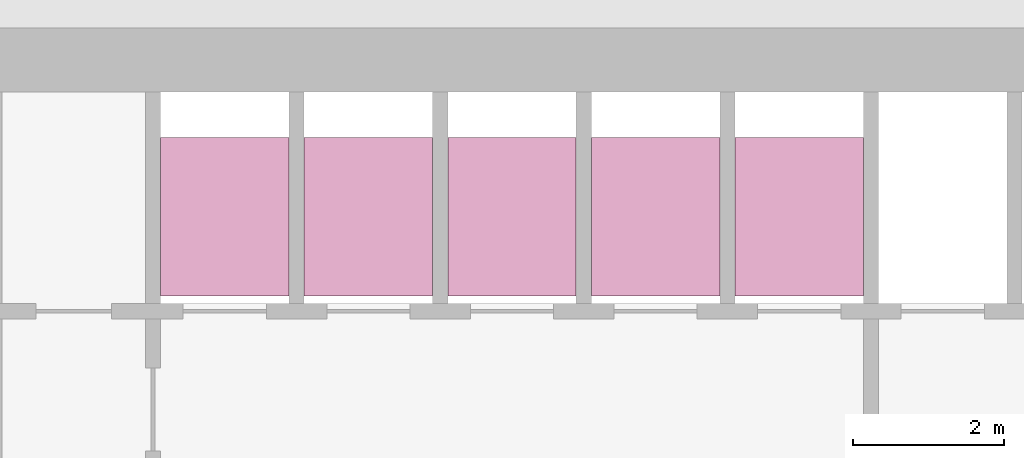
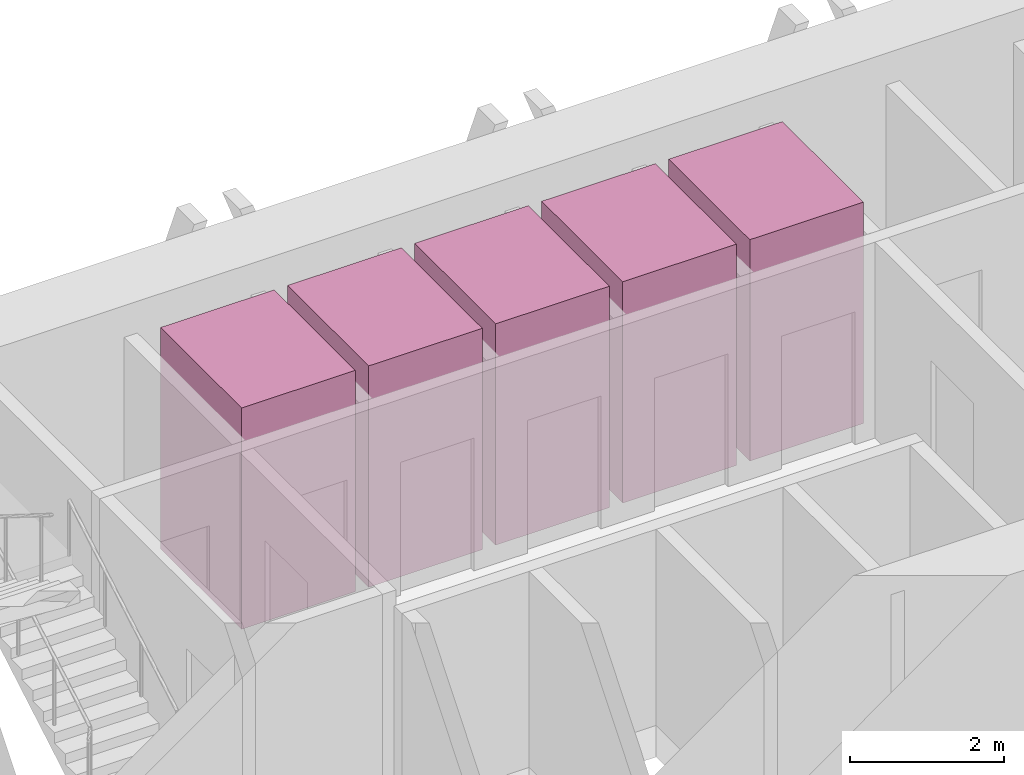
# One storey, part 17 of 17: 5 transport elements.
"""IFC4 building model written with IfcOpenShell, lengths in metres."""

from ifc_helpers import new_model, si_unit, direction, frame, origin, origin_2d, place, context, subcontext, project, spatial, rectangle, extrude, material, type_object, element, save


model = new_model("IFC4")

# Units and contexts
model_context = context("Model", 3, precision=1e-05, world=origin(), true_north=direction((0.0, 1.0)))
body_context = subcontext(model_context, "Body", "Model", "MODEL_VIEW")
ifc_project = project(units=[si_unit("LENGTHUNIT", "METRE"), si_unit("AREAUNIT", "SQUARE_METRE"), si_unit("VOLUMEUNIT", "CUBIC_METRE"), si_unit("PLANEANGLEUNIT", "RADIAN"), si_unit("MASSUNIT", "GRAM", prefix="KILO")], contexts=[model_context])

# Site, building, storey
site_placement = place(None, origin())
site = spatial("IfcSite", under=ifc_project, at=site_placement, CompositionType="ELEMENT")
building_placement = place(site_placement, origin())
building = spatial("IfcBuilding", under=site, at=building_placement, Name="Altiplano Prism Tower", CompositionType="ELEMENT")
storey_placement = place(building_placement, frame((0.0, 0.0, 55.800048828125)))
storey = spatial("IfcBuildingStorey", under=building, at=storey_placement, Name="L13", CompositionType="ELEMENT", Elevation=55.800048828125)

# Transport elements
ifc_material = material(Name="Stainless steel lift car", Category="steel")
transport_element_type = type_object("IfcTransportElementType", Name="Passenger lift car 1600 x 2100", PredefinedType="ELEVATOR", material=ifc_material)
for number, where, z_axis, x_axis, name in (
    (1, (79.050048828125, 101.75, 0.050048828125), (0.0, 0.0, 1.0), (1.0, 0.0, 0.0), "Low Zone Passenger Lift 1"),
    (2, (80.949951171875, 101.75, 0.050048828125), (0.0, 0.0, 1.0), (1.0, 0.0, 0.0), "Low Zone Passenger Lift 2"),
    (3, (82.85009765625, 101.75, 0.050048828125), (0.0, 0.0, 1.0), (1.0, 0.0, 0.0), "Low Zone Passenger Lift 3"),
    (4, (84.75, 101.75, 0.050048828125), (0.0, 0.0, 1.0), (1.0, 0.0, 0.0), "Low Zone Passenger Lift 4"),
    (5, (86.64990234375, 101.75, 0.050048828125), (0.0, 0.0, 1.0), (1.0, 0.0, 0.0), "Low Zone Passenger Lift 5"),
):
    element("IfcTransportElement", number, at=place(storey_placement, frame(where, z_axis=z_axis, x_axis=x_axis)), inside=storey, type_object=transport_element_type, Name=name, PredefinedType="ELEVATOR", context=body_context, shape_type="SweptSolid", body=[
        extrude(rectangle(XDim=1.699951171875, YDim=2.10009765625, at=origin_2d()), origin(), (0.0, 0.0, 1.0), 3.5),
    ])

save(model, "model.ifc")
